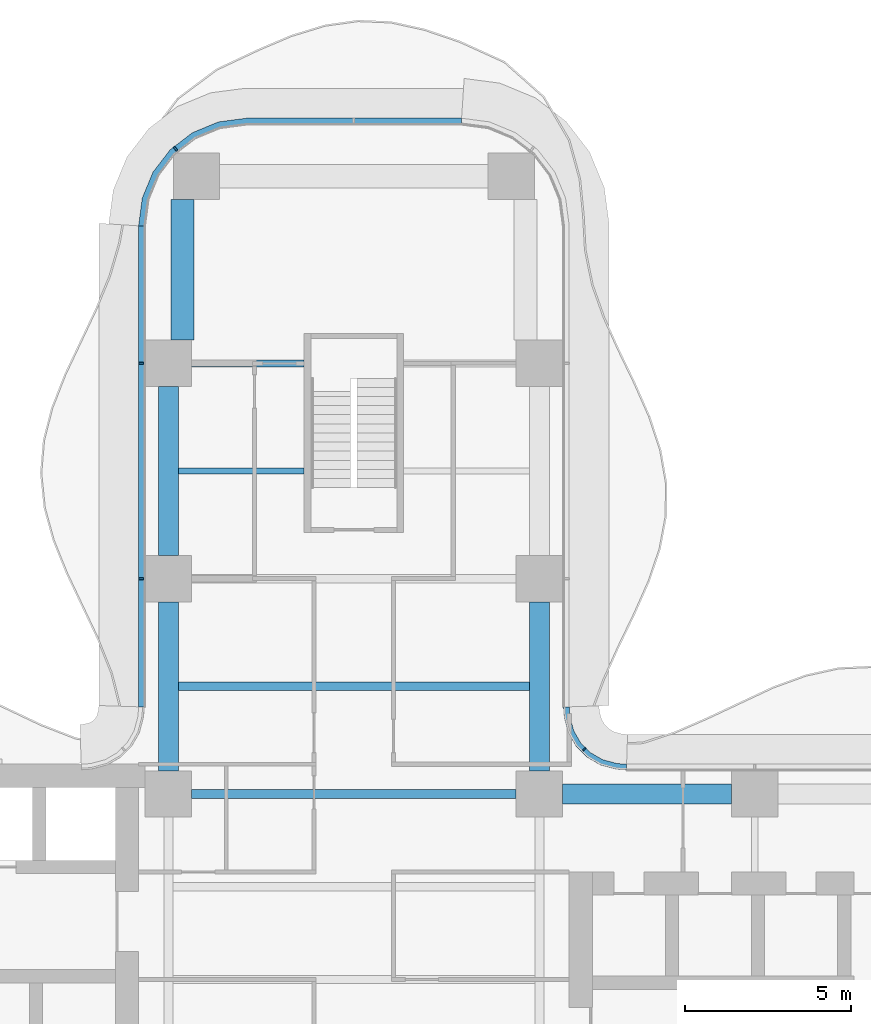
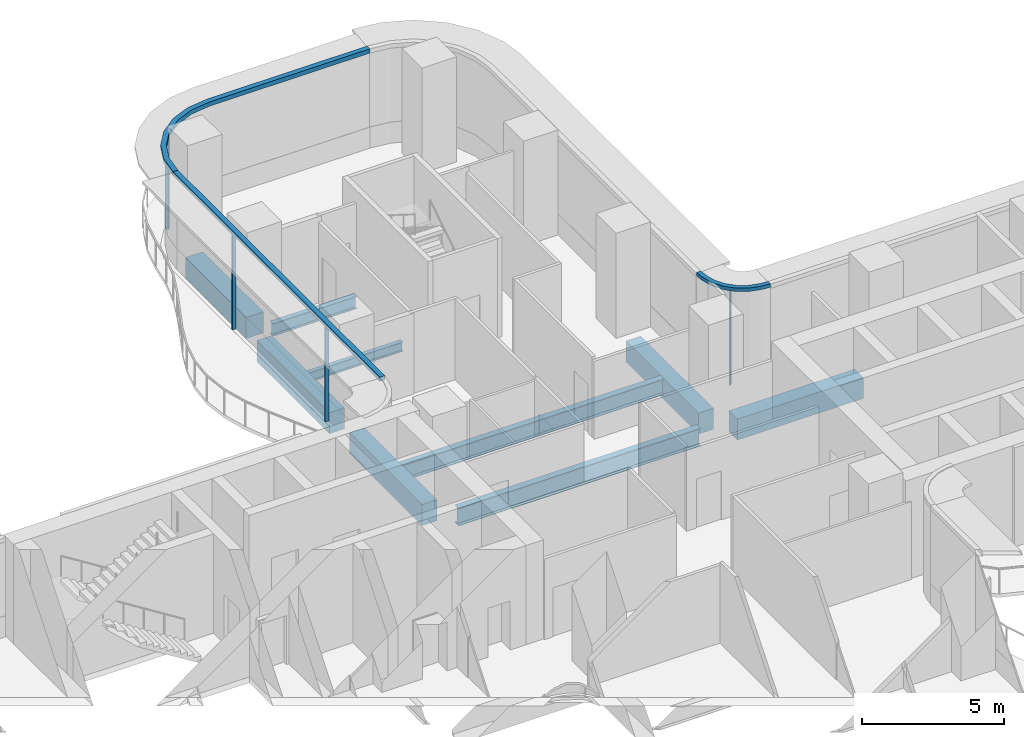
# One storey, part 9 of 22: 9 beams, 7 members, 3 elements without a shape of their own.
"""IFC4 building model written with IfcOpenShell, lengths in metres."""

from ifc_helpers import new_model, si_unit, direction, frame, origin, origin_2d, place, context, subcontext, project, spatial, polyline, rectangle, i_section, outline, extrude, source, transform, mapped, material, layer, layer_set, material_profile, profile_set, type_object, element, aggregate, save


model = new_model("IFC4")

# Units and contexts
model_context = context("Model", 3, precision=1e-05, world=origin(), true_north=direction((0.0, 1.0)))
body_context = subcontext(model_context, "Body", "Model", "MODEL_VIEW")
ifc_project = project(units=[si_unit("LENGTHUNIT", "METRE"), si_unit("AREAUNIT", "SQUARE_METRE"), si_unit("VOLUMEUNIT", "CUBIC_METRE"), si_unit("PLANEANGLEUNIT", "RADIAN"), si_unit("MASSUNIT", "GRAM", prefix="KILO")], contexts=[model_context])

# Site, building, storey
site_placement = place(None, origin())
site = spatial("IfcSite", under=ifc_project, at=site_placement, CompositionType="ELEMENT")
building_placement = place(site_placement, origin())
building = spatial("IfcBuilding", under=site, at=building_placement, Name="Trellis Farm Tower", CompositionType="ELEMENT")
storey_placement = place(building_placement, frame((0.0, 0.0, 65.5)))
storey = spatial("IfcBuildingStorey", under=building, at=storey_placement, Name="L13", CompositionType="ELEMENT", Elevation=65.5)

# Beams
ifc_material_1 = material(Name="Steel S355", Category="steel")
ifc_material_profile_1 = material_profile(ifc_material_1, i_section(OverallWidth=0.209228515625, OverallDepth=0.533203125, WebThickness=0.010009765625, FlangeThickness=0.015625, FilletRadius=0.0126953125, at=origin_2d()), Name="UB 533x210x92")
ifc_profile_set_1 = profile_set([ifc_material_profile_1], Name="Steel S355")
beam_type_1 = type_object("IfcBeamType", Name="UB 533x210x92", PredefinedType="BEAM", material=ifc_profile_set_1)
shared_shape_1 = source(origin(), body_context, "Body", "SweptSolid", [
    extrude(i_section(OverallWidth=0.209228515625, OverallDepth=0.533203125, WebThickness=0.010009765625, FlangeThickness=0.015625, FilletRadius=0.0126953125, at=origin_2d()), origin(), (0.0, 0.0, 1.0), 3.39990234375),
])
beam_1_placement = place(storey_placement, frame((-4.89990234375, 18.60009765625, -0.5166015625), z_axis=(1.0, 0.0, 0.0), x_axis=(0.0, 1.0, 0.0)))
element("IfcBeam", 1, at=beam_1_placement, inside=storey, type_object=beam_type_1, Name="Girder", PredefinedType="BEAM", context=body_context, shape_type="MappedRepresentation", body=[
    mapped(shared_shape_1, transform((0.0, 0.0, 0.0))),
])
ifc_material_2 = material(Name="Concrete C60/75", Category="concrete")
ifc_material_profile_2 = material_profile(ifc_material_2, rectangle(XDim=0.60009765625, YDim=0.89990234375, at=origin_2d()), Name="RC spandrel beam 600x900 C60/75")
ifc_profile_set_2 = profile_set([ifc_material_profile_2], Name="Concrete C60/75")
beam_type_2 = type_object("IfcBeamType", Name="RC spandrel beam 600x900 C60/75", PredefinedType="SPANDREL", material=ifc_profile_set_2)
shared_shape_2 = source(origin(), body_context, "Body", "SweptSolid", [
    extrude(rectangle(XDim=0.60009765625, YDim=0.89990234375, at=origin_2d()), origin(), (0.0, 0.0, 1.0), 5.099853515625),
])
for number, where, z_axis, x_axis, name in (
    (2, (6.300048828125, 5.60009765625, -0.699951171875), (1.0, 0.0, 0.0), (0.0, 1.0, 0.0), "Girder"),
    (3, (-5.60009765625, 6.300048828125, -0.699951171875), (0.0, 1.0, 0.0), (-1.0, 0.0, 0.0), "Girder"),
    (4, (-5.60009765625, 12.800048828125, -0.699951171875), (0.0, 1.0, 0.0), (-1.0, 0.0, 0.0), "Girder"),
    (5, (5.60009765625, 6.300048828125, -0.699951171875), (0.0, 1.0, 0.0), (-1.0, 0.0, 0.0), "Girder"),
):
    element("IfcBeam", number, at=place(storey_placement, frame(where, z_axis=z_axis, x_axis=x_axis)), inside=storey, type_object=beam_type_2, Name=name, PredefinedType="SPANDREL", context=body_context, shape_type="MappedRepresentation", body=[
        mapped(shared_shape_2, transform((0.0, 0.0, 0.0))),
    ])
ifc_material_profile_3 = material_profile(ifc_material_1, i_section(OverallWidth=0.2666015625, OverallDepth=0.76220703125, WebThickness=0.014404296875, FlangeThickness=0.021484375, FilletRadius=0.0166015625, at=origin_2d()), Name="UB 762x267x173")
ifc_profile_set_3 = profile_set([ifc_material_profile_3], Name="Steel S355")
beam_type_3 = type_object("IfcBeamType", Name="UB 762x267x173", PredefinedType="BEAM", material=ifc_profile_set_3)
shared_shape_3 = source(origin(), body_context, "Body", "SweptSolid", [
    extrude(i_section(OverallWidth=0.2666015625, OverallDepth=0.76220703125, WebThickness=0.014404296875, FlangeThickness=0.021484375, FilletRadius=0.0166015625, at=origin_2d()), origin(), (0.0, 0.0, 1.0), 9.7998046875),
])
beam_2_placement = place(storey_placement, frame((-4.89990234375, 5.60009765625, -0.631103515625), z_axis=(1.0, 0.0, 0.0), x_axis=(0.0, 1.0, 0.0)))
element("IfcBeam", 6, at=beam_2_placement, inside=storey, type_object=beam_type_3, Name="Girder", PredefinedType="BEAM", context=body_context, shape_type="MappedRepresentation", body=[
    mapped(shared_shape_3, transform((0.0, 0.0, 0.0))),
])
ifc_material_profile_4 = material_profile(ifc_material_2, rectangle(XDim=0.699951171875, YDim=0.89990234375, at=origin_2d()), Name="RC spandrel beam 700x900 C60/75")
ifc_profile_set_4 = profile_set([ifc_material_profile_4], Name="Concrete C60/75")
beam_type_4 = type_object("IfcBeamType", Name="RC spandrel beam 700x900 C60/75", PredefinedType="SPANDREL", material=ifc_profile_set_4)
shared_shape_4 = source(origin(), body_context, "Body", "SweptSolid", [
    extrude(rectangle(XDim=0.699951171875, YDim=0.89990234375, at=origin_2d()), origin(), (0.0, 0.0, 1.0), 4.25),
])
beam_3_placement = place(storey_placement, frame((-5.175048828125, 19.300048828125, -0.699951171875), z_axis=(0.0, 1.0, 0.0), x_axis=(-1.0, 0.0, 0.0)))
element("IfcBeam", 7, at=beam_3_placement, inside=storey, type_object=beam_type_4, Name="Girder", PredefinedType="SPANDREL", context=body_context, shape_type="MappedRepresentation", body=[
    mapped(shared_shape_4, transform((0.0, 0.0, 0.0))),
])
ifc_material_profile_5 = material_profile(ifc_material_1, i_section(OverallWidth=0.177978515625, OverallDepth=0.406494140625, WebThickness=0.0078125, FlangeThickness=0.0126953125, FilletRadius=0.01025390625, at=origin_2d()), Name="UB 406x178x60")
ifc_profile_set_5 = profile_set([ifc_material_profile_5], Name="Steel S355")
beam_type_5 = type_object("IfcBeamType", Name="UB 406x178x60 joist", PredefinedType="JOIST", material=ifc_profile_set_5)
shared_shape_5 = source(origin(), body_context, "Body", "SweptSolid", [
    extrude(i_section(OverallWidth=0.177978515625, OverallDepth=0.406494140625, WebThickness=0.0078125, FlangeThickness=0.0126953125, FilletRadius=0.01025390625, at=origin_2d()), origin(), (0.0, 0.0, 1.0), 3.800048828125),
])
beam_4_placement = place(storey_placement, frame((-5.300048828125, 15.35009765625, -0.453125), z_axis=(1.0, 0.0, 0.0), x_axis=(0.0, 1.0, 0.0)))
element("IfcBeam", 8, at=beam_4_placement, inside=storey, type_object=beam_type_5, Name="Floor beam", PredefinedType="JOIST", context=body_context, shape_type="MappedRepresentation", body=[
    mapped(shared_shape_5, transform((0.0, 0.0, 0.0))),
])
ifc_material_profile_6 = material_profile(ifc_material_1, i_section(OverallWidth=0.253662109375, OverallDepth=0.68359375, WebThickness=0.012451171875, FlangeThickness=0.021728515625, FilletRadius=0.01513671875, at=origin_2d()), Name="UB 686x254x140")
ifc_profile_set_6 = profile_set([ifc_material_profile_6], Name="Steel S355")
beam_type_6 = type_object("IfcBeamType", Name="UB 686x254x140 joist", PredefinedType="JOIST", material=ifc_profile_set_6)
shared_shape_6 = source(origin(), body_context, "Body", "SweptSolid", [
    extrude(i_section(OverallWidth=0.253662109375, OverallDepth=0.68359375, WebThickness=0.012451171875, FlangeThickness=0.021728515625, FilletRadius=0.01513671875, at=origin_2d()), origin(), (0.0, 0.0, 1.0), 10.60009765625),
])
beam_5_placement = place(storey_placement, frame((-5.300048828125, 8.85009765625, -0.591796875), z_axis=(1.0, 0.0, 0.0), x_axis=(0.0, 1.0, 0.0)))
element("IfcBeam", 9, at=beam_5_placement, inside=storey, type_object=beam_type_6, Name="Floor beam", PredefinedType="JOIST", context=body_context, shape_type="MappedRepresentation", body=[
    mapped(shared_shape_6, transform((0.0, 0.0, 0.0))),
])

# Curtain wall, member
ifc_material_3 = material(Name="Aluminium and glass curtain wall", Category="aluminium")
ifc_layer_1 = layer(ifc_material_3, 0.18994140625)
ifc_layer_set_1 = layer_set([ifc_layer_1], Name="RIBBON CURTAIN WALL CW1")
curtain_wall_type_1 = type_object("IfcCurtainWallType", Name="RIBBON CURTAIN WALL CW1", PredefinedType="NOTDEFINED", material=ifc_layer_set_1)
placement_1 = place(storey_placement, origin())
curtain_wall_1 = element("IfcCurtainWall", 10, at=placement_1, inside=storey, type_object=curtain_wall_type_1, Name="CW1 010", PredefinedType="NOTDEFINED")
ifc_material_4 = material(Name="Aluminium extrusion 6063-T6", Category="aluminium")
ifc_material_profile_7 = material_profile(ifc_material_4, rectangle(XDim=0.06005859375, YDim=0.14990234375, at=origin_2d()), Name="MULLION 60x150")
ifc_profile_set_7 = profile_set([ifc_material_profile_7], Name="Aluminium extrusion 6063-T6")
member_type_1 = type_object("IfcMemberType", Name="CW1 MULLION 60x150", PredefinedType="MULLION", material=ifc_profile_set_7)
shared_shape_7 = source(origin(), body_context, "Body", "SweptSolid", [
    extrude(rectangle(XDim=0.06005859375, YDim=0.14990234375, at=origin_2d()), origin(), (0.0, 0.0, 1.0), 4.070068359375),
])
member_1_placement = place(storey_placement, frame((-5.385498046875, 25.078369140625, 0.0), z_axis=(0.0, 0.0, 1.0), x_axis=(-0.793353340291, -0.608761429009, 0.0)))
member_1 = element("IfcMember", 11, at=member_1_placement, type_object=member_type_1, Name="MU1 010-02", PredefinedType="MULLION", context=body_context, shape_type="MappedRepresentation", body=[
    mapped(shared_shape_7, transform((0.0, 0.0, 0.0))),
])

# Curtain wall, members
curtain_wall_2 = element("IfcCurtainWall", 12, at=placement_1, inside=storey, type_object=curtain_wall_type_1, Name="CW1 011", PredefinedType="NOTDEFINED")
member_2_placement = place(storey_placement, frame((-6.425048828125, 18.60009765625, 0.0), z_axis=(0.0, 0.0, 1.0), x_axis=(0.0, -1.0, 0.0)))
member_2 = element("IfcMember", 13, at=member_2_placement, type_object=member_type_1, Name="MU1 011-01", PredefinedType="MULLION", context=body_context, shape_type="MappedRepresentation", body=[
    mapped(shared_shape_7, transform((0.0, 0.0, 0.0))),
])
member_3_placement = place(storey_placement, frame((-6.425048828125, 12.10009765625, 0.0), z_axis=(0.0, 0.0, 1.0), x_axis=(0.0, -1.0, 0.0)))
member_3 = element("IfcMember", 14, at=member_3_placement, type_object=member_type_1, Name="MU1 011-02", PredefinedType="MULLION", context=body_context, shape_type="MappedRepresentation", body=[
    mapped(shared_shape_7, transform((0.0, 0.0, 0.0))),
])

ifc_layer_2 = layer(ifc_material_3, 0.166015625)
ifc_layer_set_2 = layer_set([ifc_layer_2], Name="WINTER GARDEN CURTAIN WALL CW3")
curtain_wall_type_2 = type_object("IfcCurtainWallType", Name="WINTER GARDEN CURTAIN WALL CW3", PredefinedType="NOTDEFINED", material=ifc_layer_set_2)
curtain_wall_3 = element("IfcCurtainWall", 15, at=placement_1, inside=storey, type_object=curtain_wall_type_2, Name="CW3 003", PredefinedType="NOTDEFINED")
ifc_material_profile_8 = material_profile(ifc_material_4, rectangle(XDim=0.050048828125, YDim=0.1201171875, at=origin_2d()), Name="MULLION 50x120")
ifc_profile_set_8 = profile_set([ifc_material_profile_8], Name="Aluminium extrusion 6063-T6")
member_type_2 = type_object("IfcMemberType", Name="CW3 MULLION 50x120", PredefinedType="MULLION", material=ifc_profile_set_8)
shared_shape_8 = source(origin(), body_context, "Body", "SweptSolid", [
    extrude(rectangle(XDim=0.050048828125, YDim=0.1201171875, at=origin_2d()), origin(), (0.0, 0.0, 1.0), 4.10009765625),
])
member_4_placement = place(storey_placement, frame((6.953125, 6.953125, 0.0), z_axis=(0.0, 0.0, 1.0), x_axis=(-0.707106781187, 0.707106781187, 0.0)))
member_4 = element("IfcMember", 16, at=member_4_placement, type_object=member_type_2, Name="MU3 003-01", PredefinedType="MULLION", context=body_context, shape_type="MappedRepresentation", body=[
    mapped(shared_shape_8, transform((0.0, 0.0, 0.0))),
])
ifc_layer_3 = layer(ifc_material_4, 0.169921875)
ifc_layer_set_3 = layer_set([ifc_layer_3], Name="Aluminium extrusion 6063-T6")
member_type_3 = type_object("IfcMemberType", Name="CW3 TRANSOM 170x150", PredefinedType="USERDEFINED", material=ifc_layer_set_3)
shared_shape_9 = source(origin(), body_context, "Body", "SweptSolid", [
    extrude(outline(polyline([(8.2314453125, 6.5), (8.01953125, 6.513916015625), (7.91552734375, 6.527587890625), (7.508544921875, 6.63671875), (7.144287109375, 6.846923828125), (6.846923828125, 7.144287109375), (6.63671875, 7.508544921875), (6.527587890625, 7.91552734375), (6.513916015625, 8.01953125), (6.5, 8.2314453125), (6.330078125, 8.225830078125), (6.3447265625, 8.0029296875), (6.360595703125, 7.88232421875), (6.478271484375, 7.44287109375), (6.7109375, 7.0400390625), (7.0400390625, 6.7109375), (7.44287109375, 6.478271484375), (7.88232421875, 6.360595703125), (8.0029296875, 6.3447265625), (8.225830078125, 6.330078125), (8.2314453125, 6.5)])), origin(), (0.0, 0.0, 1.0), 0.14990234375),
])
member_5_placement = place(storey_placement, frame((0.0, 0.0, 4.10009765625)))
member_5 = element("IfcMember", 17, at=member_5_placement, type_object=member_type_3, Name="TR3 003", ObjectType="TRANSOM", PredefinedType="USERDEFINED", context=body_context, shape_type="MappedRepresentation", body=[
    mapped(shared_shape_9, transform((0.0, 0.0, 0.0))),
])
aggregate(curtain_wall_3, [member_4, member_5])

# Member
ifc_layer_4 = layer(ifc_material_4, 0.199951171875)
ifc_layer_set_4 = layer_set([ifc_layer_4], Name="Aluminium extrusion 6063-T6")
member_type_4 = type_object("IfcMemberType", Name="CW1 TRANSOM 200x180", PredefinedType="USERDEFINED", material=ifc_layer_set_4)
shared_shape_10 = source(origin(), body_context, "Body", "SweptSolid", [
    extrude(outline(polyline([(-6.5, 22.75), (-6.5, 8.2314453125), (-6.300048828125, 8.224853515625), (-6.300048828125, 22.73681640625), (-6.5, 22.75)])), origin(), (0.0, 0.0, 1.0), 0.179931640625),
])
placement_2 = place(storey_placement, frame((0.0, 0.0, 4.070068359375)))
member_6 = element("IfcMember", 18, at=placement_2, type_object=member_type_4, Name="TR1 011", ObjectType="TRANSOM", PredefinedType="USERDEFINED", context=body_context, shape_type="MappedRepresentation", body=[
    mapped(shared_shape_10, transform((0.0, 0.0, 0.0))),
])

aggregate(curtain_wall_2, [member_2, member_3, member_6])

shared_shape_11 = source(origin(), body_context, "Body", "SweptSolid", [
    extrude(outline(polyline([(3.25, 26.0), (-3.25, 26.0), (-4.091064453125, 25.88916015625), (-4.875, 25.564697265625), (-5.548095703125, 25.048095703125), (-6.064697265625, 24.375), (-6.38916015625, 23.591064453125), (-6.5, 22.75), (-6.300048828125, 22.73681640625), (-6.1943359375, 23.5390625), (-5.889892578125, 24.274169921875), (-5.405517578125, 24.905517578125), (-4.774169921875, 25.389892578125), (-4.0390625, 25.6943359375), (-3.23681640625, 25.800048828125), (3.23681640625, 25.800048828125), (3.25, 26.0)])), origin(), (0.0, 0.0, 1.0), 0.179931640625),
])
member_7 = element("IfcMember", 19, at=placement_2, type_object=member_type_4, Name="TR1 010", ObjectType="TRANSOM", PredefinedType="USERDEFINED", context=body_context, shape_type="MappedRepresentation", body=[
    mapped(shared_shape_11, transform((0.0, 0.0, 0.0))),
])

aggregate(curtain_wall_1, [member_1, member_7])

save(model, "model.ifc")
